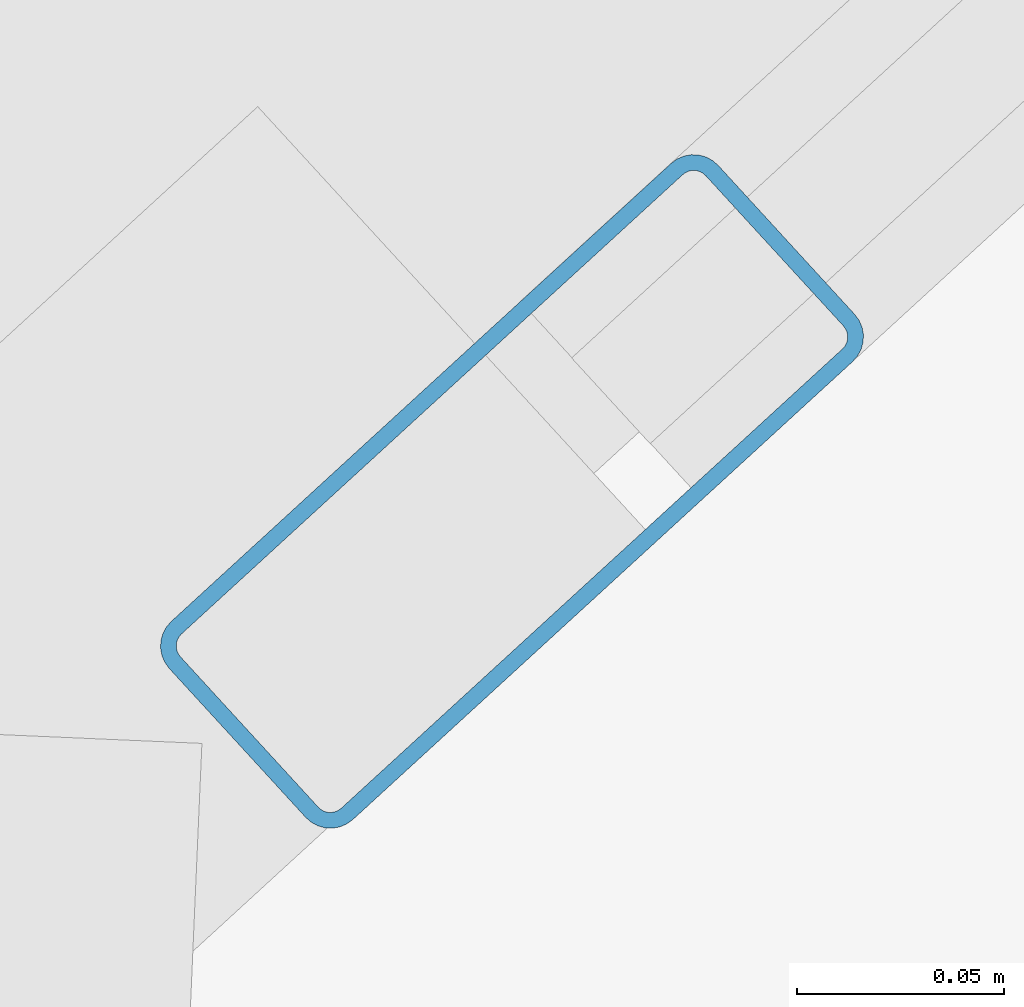
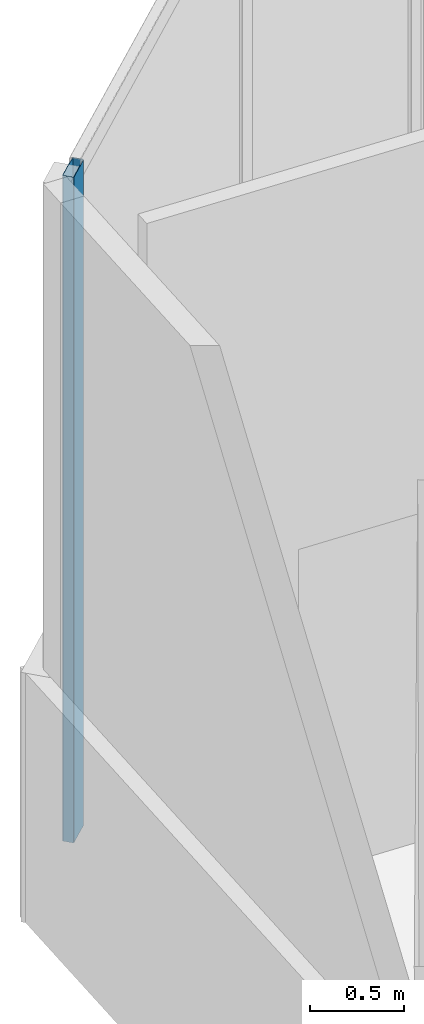
# One storey, part 8 of 27: 1 member, 1 element without a shape of its own.
"""IFC4 building model written with IfcOpenShell, lengths in metres."""

from ifc_helpers import new_model, si_unit, direction, frame, origin, origin_2d, place, context, subcontext, project, spatial, hollow_rectangle, extrude, source, transform, mapped, material, material_profile, profile_set, type_object, element, aggregate, save


model = new_model("IFC4")

# Units and contexts
model_context = context("Model", 3, precision=1e-05, world=origin(), true_north=direction((0.0, 1.0)))
body_context = subcontext(model_context, "Body", "Model", "MODEL_VIEW")
ifc_project = project(units=[si_unit("LENGTHUNIT", "METRE"), si_unit("AREAUNIT", "SQUARE_METRE"), si_unit("VOLUMEUNIT", "CUBIC_METRE"), si_unit("PLANEANGLEUNIT", "RADIAN"), si_unit("MASSUNIT", "GRAM", prefix="KILO")], contexts=[model_context])

# Site, building, storey
site_placement = place(None, origin())
site = spatial("IfcSite", under=ifc_project, at=site_placement, CompositionType="ELEMENT")
building_placement = place(site_placement, origin())
building = spatial("IfcBuilding", under=site, at=building_placement, Name="Torre Montelarca", CompositionType="ELEMENT")
storey_placement = place(building_placement, frame((0.0, 0.0, 37.60009765625)))
storey = spatial("IfcBuildingStorey", under=building, at=storey_placement, Name="L08", CompositionType="ELEMENT", Elevation=37.60009765625)

# Curtain wall, member
ifc_material_1 = material(Name="Insulated low-E laminated glass", Category="glass")
curtain_wall_type = type_object("IfcCurtainWallType", Name="CW-SYS-Z1", PredefinedType="USERDEFINED", material=ifc_material_1)
curtain_wall_placement = place(storey_placement, origin())
curtain_wall = element("IfcCurtainWall", 1, at=curtain_wall_placement, inside=storey, type_object=curtain_wall_type, Name="L08 Curtain Wall Run CW-T3-L08-E09-B1", ObjectType="UNITISED GLAZING", PredefinedType="USERDEFINED")
ifc_material_2 = material(Name="Anodised aluminium AA 6063-T6", Category="aluminium")
ifc_material_profile = material_profile(ifc_material_2, hollow_rectangle(XDim=0.06494140625, YDim=0.179931640625, WallThickness=0.00390625, InnerFilletRadius=0.00390625, OuterFilletRadius=0.008056640625, at=origin_2d()), Name="ALU65X180X4", Category="aluminium")
ifc_profile_set = profile_set([ifc_material_profile], Name="Anodised aluminium AA 6063-T6")
member_type = type_object("IfcMemberType", Name="CWM-ALU180", PredefinedType="MULLION", material=ifc_profile_set)
shared_shape = source(origin(), body_context, "Body", "SweptSolid", [
    extrude(hollow_rectangle(XDim=0.06494140625, YDim=0.179931640625, WallThickness=0.00390625, InnerFilletRadius=0.00390625, OuterFilletRadius=0.008056640625, at=origin_2d()), origin(), (0.0, 0.0, 1.0), 4.31982421875),
])
member_placement = place(storey_placement, frame((4.561279296875, 44.4990234375, 0.0), z_axis=(0.0, 0.0, 1.0), x_axis=(0.67558349177, -0.737283490692, 0.0)))
member = element("IfcMember", 2, at=member_placement, type_object=member_type, Name="CW mullion 3", PredefinedType="MULLION", context=body_context, shape_type="MappedRepresentation", body=[
    mapped(shared_shape, transform((0.0, 0.0, 0.0), scale=1.0)),
])
aggregate(curtain_wall, [member])

save(model, "model.ifc")
